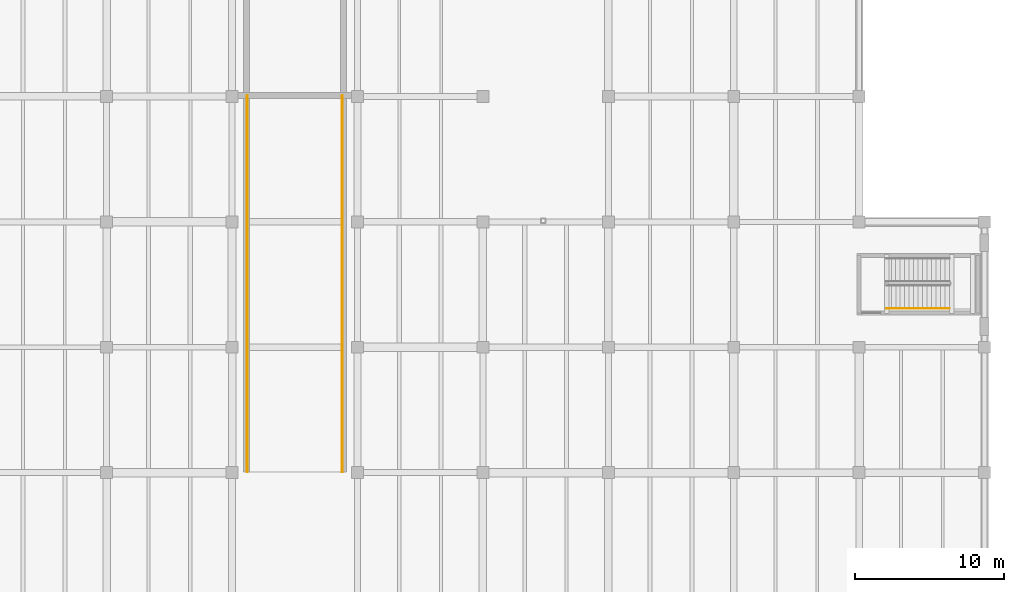
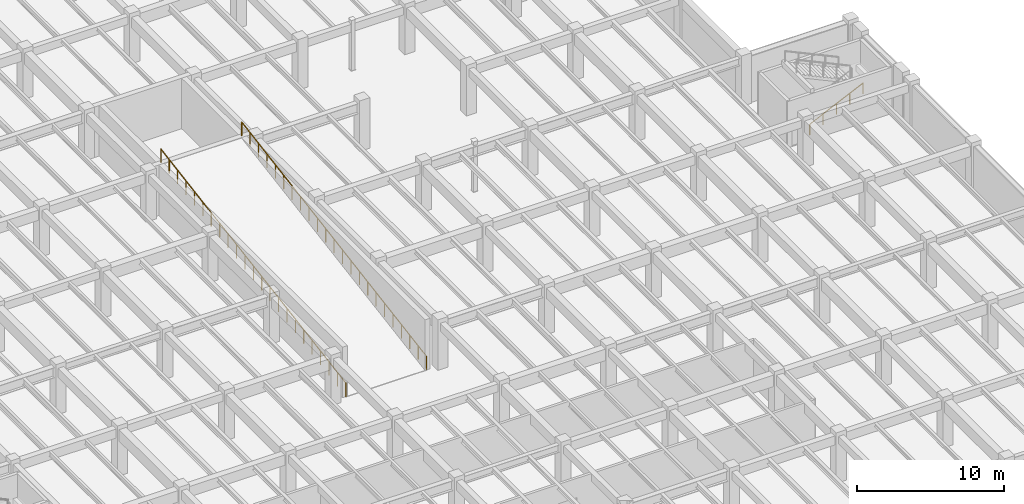
# One storey, part 61 of 63: 3 railings.
"""IFC4 building model written with IfcOpenShell, lengths in metres."""

from ifc_helpers import new_model, si_unit, direction, frame, origin, origin_2d, place, context, subcontext, project, spatial, circle, extrude, material, type_object, element, save


model = new_model("IFC4")

# Units and contexts
model_context = context("Model", 3, precision=1e-05, world=origin(), true_north=direction((0.0, 1.0)))
body_context = subcontext(model_context, "Body", "Model", "MODEL_VIEW")
ifc_project = project(units=[si_unit("LENGTHUNIT", "METRE"), si_unit("AREAUNIT", "SQUARE_METRE"), si_unit("VOLUMEUNIT", "CUBIC_METRE"), si_unit("PLANEANGLEUNIT", "RADIAN"), si_unit("MASSUNIT", "GRAM", prefix="KILO")], contexts=[model_context])

# Site, building, storey
site_placement = place(None, origin())
site = spatial("IfcSite", under=ifc_project, at=site_placement, CompositionType="ELEMENT")
building_placement = place(site_placement, origin())
building = spatial("IfcBuilding", under=site, at=building_placement, Name="Cumbredor Promenade Congress Hotel", CompositionType="ELEMENT")
storey_placement = place(building_placement, frame((0.0, 0.0, -4.199951171875)))
storey = spatial("IfcBuildingStorey", under=building, at=storey_placement, Name="B01", CompositionType="ELEMENT", Elevation=-4.199951171875)

# Railings
ifc_material = material(Name="Brushed stainless steel", Category="steel")
railing_type_1 = type_object("IfcRailingType", Name="Sky Garden Glass-and-Steel Balustrade BAL-1150", PredefinedType="BALUSTRADE", material=ifc_material)
railing_1_placement = place(storey_placement, frame((135.419921875, 50.449951171875, 0.0)))
element("IfcRailing", 1, at=railing_1_placement, inside=storey, type_object=railing_type_1, Name="Vehicle Ramp West Side Guardrail", PredefinedType="BALUSTRADE", context=body_context, shape_type="SweptSolid", body=[
    extrude(circle(Radius=0.02392578125, at=origin_2d()), frame((0.0, 0.0, 1.1259765625), z_axis=(0.0, 0.98639418211, 0.164397437631), x_axis=(-1.0, 0.0, 0.0)), (0.0, 0.0, 1.0), 25.547607421875),
    extrude(circle(Radius=0.02099609375, at=origin_2d()), origin(), (0.0, 0.0, 1.0), 1.101806640625),
    extrude(circle(Radius=0.02099609375, at=origin_2d()), frame((0.0, 1.1455078125, 0.19091796875)), (0.0, 0.0, 1.0), 1.101806640625),
    extrude(circle(Radius=0.02099609375, at=origin_2d()), frame((0.0, 2.291015625, 0.3818359375)), (0.0, 0.0, 1.0), 1.101806640625),
    extrude(circle(Radius=0.02099609375, at=origin_2d()), frame((0.0, 3.436279296875, 0.57275390625)), (0.0, 0.0, 1.0), 1.101806640625),
    extrude(circle(Radius=0.02099609375, at=origin_2d()), frame((0.0, 4.581787109375, 0.763671875)), (0.0, 0.0, 1.0), 1.101806640625),
    extrude(circle(Radius=0.02099609375, at=origin_2d()), frame((0.0, 5.727294921875, 0.95458984375)), (0.0, 0.0, 1.0), 1.101806640625),
    extrude(circle(Radius=0.02099609375, at=origin_2d()), frame((0.0, 6.872802734375, 1.1455078125)), (0.0, 0.0, 1.0), 1.101806640625),
    extrude(circle(Radius=0.02099609375, at=origin_2d()), frame((0.0, 8.01806640625, 1.33642578125)), (0.0, 0.0, 1.0), 1.101806640625),
    extrude(circle(Radius=0.02099609375, at=origin_2d()), frame((0.0, 9.16357421875, 1.52734375)), (0.0, 0.0, 1.0), 1.101806640625),
    extrude(circle(Radius=0.02099609375, at=origin_2d()), frame((0.0, 10.30908203125, 1.71826171875)), (0.0, 0.0, 1.0), 1.101806640625),
    extrude(circle(Radius=0.02099609375, at=origin_2d()), frame((0.0, 11.45458984375, 1.9091796875)), (0.0, 0.0, 1.0), 1.101806640625),
    extrude(circle(Radius=0.02099609375, at=origin_2d()), frame((0.0, 12.60009765625, 2.10009765625)), (0.0, 0.0, 1.0), 1.101806640625),
    extrude(circle(Radius=0.02099609375, at=origin_2d()), frame((0.0, 13.745361328125, 2.290771484375)), (0.0, 0.0, 1.0), 1.101806640625),
    extrude(circle(Radius=0.02099609375, at=origin_2d()), frame((0.0, 14.890869140625, 2.481689453125)), (0.0, 0.0, 1.0), 1.101806640625),
    extrude(circle(Radius=0.02099609375, at=origin_2d()), frame((0.0, 16.036376953125, 2.672607421875)), (0.0, 0.0, 1.0), 1.101806640625),
    extrude(circle(Radius=0.02099609375, at=origin_2d()), frame((0.0, 17.181884765625, 2.863525390625)), (0.0, 0.0, 1.0), 1.101806640625),
    extrude(circle(Radius=0.02099609375, at=origin_2d()), frame((0.0, 18.3271484375, 3.054443359375)), (0.0, 0.0, 1.0), 1.101806640625),
    extrude(circle(Radius=0.02099609375, at=origin_2d()), frame((0.0, 19.47265625, 3.245361328125)), (0.0, 0.0, 1.0), 1.101806640625),
    extrude(circle(Radius=0.02099609375, at=origin_2d()), frame((0.0, 20.6181640625, 3.436279296875)), (0.0, 0.0, 1.0), 1.101806640625),
    extrude(circle(Radius=0.02099609375, at=origin_2d()), frame((0.0, 21.763671875, 3.627197265625)), (0.0, 0.0, 1.0), 1.101806640625),
    extrude(circle(Radius=0.02099609375, at=origin_2d()), frame((0.0, 22.908935546875, 3.818115234375)), (0.0, 0.0, 1.0), 1.101806640625),
    extrude(circle(Radius=0.02099609375, at=origin_2d()), frame((0.0, 24.054443359375, 4.009033203125)), (0.0, 0.0, 1.0), 1.101806640625),
    extrude(circle(Radius=0.02099609375, at=origin_2d()), frame((0.0, 25.199951171875, 4.199951171875)), (0.0, 0.0, 1.0), 1.101806640625),
])
railing_2_placement = place(storey_placement, frame((141.780029296875, 50.449951171875, 0.0)))
element("IfcRailing", 2, at=railing_2_placement, inside=storey, type_object=railing_type_1, Name="Vehicle Ramp East Side Guardrail", PredefinedType="BALUSTRADE", context=body_context, shape_type="SweptSolid", body=[
    extrude(circle(Radius=0.02392578125, at=origin_2d()), frame((0.0, 0.0, 1.1259765625), z_axis=(0.0, 0.98639418211, 0.164397437631), x_axis=(-1.0, 0.0, 0.0)), (0.0, 0.0, 1.0), 25.547607421875),
    extrude(circle(Radius=0.02099609375, at=origin_2d()), origin(), (0.0, 0.0, 1.0), 1.101806640625),
    extrude(circle(Radius=0.02099609375, at=origin_2d()), frame((0.0, 1.1455078125, 0.19091796875)), (0.0, 0.0, 1.0), 1.101806640625),
    extrude(circle(Radius=0.02099609375, at=origin_2d()), frame((0.0, 2.291015625, 0.3818359375)), (0.0, 0.0, 1.0), 1.101806640625),
    extrude(circle(Radius=0.02099609375, at=origin_2d()), frame((0.0, 3.436279296875, 0.57275390625)), (0.0, 0.0, 1.0), 1.101806640625),
    extrude(circle(Radius=0.02099609375, at=origin_2d()), frame((0.0, 4.581787109375, 0.763671875)), (0.0, 0.0, 1.0), 1.101806640625),
    extrude(circle(Radius=0.02099609375, at=origin_2d()), frame((0.0, 5.727294921875, 0.95458984375)), (0.0, 0.0, 1.0), 1.101806640625),
    extrude(circle(Radius=0.02099609375, at=origin_2d()), frame((0.0, 6.872802734375, 1.1455078125)), (0.0, 0.0, 1.0), 1.101806640625),
    extrude(circle(Radius=0.02099609375, at=origin_2d()), frame((0.0, 8.01806640625, 1.33642578125)), (0.0, 0.0, 1.0), 1.101806640625),
    extrude(circle(Radius=0.02099609375, at=origin_2d()), frame((0.0, 9.16357421875, 1.52734375)), (0.0, 0.0, 1.0), 1.101806640625),
    extrude(circle(Radius=0.02099609375, at=origin_2d()), frame((0.0, 10.30908203125, 1.71826171875)), (0.0, 0.0, 1.0), 1.101806640625),
    extrude(circle(Radius=0.02099609375, at=origin_2d()), frame((0.0, 11.45458984375, 1.9091796875)), (0.0, 0.0, 1.0), 1.101806640625),
    extrude(circle(Radius=0.02099609375, at=origin_2d()), frame((0.0, 12.60009765625, 2.10009765625)), (0.0, 0.0, 1.0), 1.101806640625),
    extrude(circle(Radius=0.02099609375, at=origin_2d()), frame((0.0, 13.745361328125, 2.290771484375)), (0.0, 0.0, 1.0), 1.101806640625),
    extrude(circle(Radius=0.02099609375, at=origin_2d()), frame((0.0, 14.890869140625, 2.481689453125)), (0.0, 0.0, 1.0), 1.101806640625),
    extrude(circle(Radius=0.02099609375, at=origin_2d()), frame((0.0, 16.036376953125, 2.672607421875)), (0.0, 0.0, 1.0), 1.101806640625),
    extrude(circle(Radius=0.02099609375, at=origin_2d()), frame((0.0, 17.181884765625, 2.863525390625)), (0.0, 0.0, 1.0), 1.101806640625),
    extrude(circle(Radius=0.02099609375, at=origin_2d()), frame((0.0, 18.3271484375, 3.054443359375)), (0.0, 0.0, 1.0), 1.101806640625),
    extrude(circle(Radius=0.02099609375, at=origin_2d()), frame((0.0, 19.47265625, 3.245361328125)), (0.0, 0.0, 1.0), 1.101806640625),
    extrude(circle(Radius=0.02099609375, at=origin_2d()), frame((0.0, 20.6181640625, 3.436279296875)), (0.0, 0.0, 1.0), 1.101806640625),
    extrude(circle(Radius=0.02099609375, at=origin_2d()), frame((0.0, 21.763671875, 3.627197265625)), (0.0, 0.0, 1.0), 1.101806640625),
    extrude(circle(Radius=0.02099609375, at=origin_2d()), frame((0.0, 22.908935546875, 3.818115234375)), (0.0, 0.0, 1.0), 1.101806640625),
    extrude(circle(Radius=0.02099609375, at=origin_2d()), frame((0.0, 24.054443359375, 4.009033203125)), (0.0, 0.0, 1.0), 1.101806640625),
    extrude(circle(Radius=0.02099609375, at=origin_2d()), frame((0.0, 25.199951171875, 4.199951171875)), (0.0, 0.0, 1.0), 1.101806640625),
])
railing_type_2 = type_object("IfcRailingType", Name="Stair Pitch Handrail HR-900", PredefinedType="HANDRAIL", material=ifc_material)
railing_3_placement = place(storey_placement, frame((178.25, 61.39990234375, 0.139892578125)))
element("IfcRailing", 3, at=railing_3_placement, inside=storey, type_object=railing_type_2, Name="B01 ST-10 stair handrail 1", PredefinedType="HANDRAIL", context=body_context, shape_type="SweptSolid", body=[
    extrude(circle(Radius=0.02392578125, at=origin_2d()), frame((0.0, 0.0, 0.8759765625), z_axis=(0.906184485727, 0.0, 0.422882581609), x_axis=(0.0, 1.0, 0.0)), (0.0, 0.0, 1.0), 4.634765625),
    extrude(circle(Radius=0.02099609375, at=origin_2d()), origin(), (0.0, 0.0, 1.0), 0.851806640625),
    extrude(circle(Radius=0.02099609375, at=origin_2d()), frame((1.050048828125, 0.0, 0.489990234375)), (0.0, 0.0, 1.0), 0.851806640625),
    extrude(circle(Radius=0.02099609375, at=origin_2d()), frame((2.10009765625, 0.0, 0.97998046875)), (0.0, 0.0, 1.0), 0.851806640625),
    extrude(circle(Radius=0.02099609375, at=origin_2d()), frame((3.14990234375, 0.0, 1.469970703125)), (0.0, 0.0, 1.0), 0.851806640625),
    extrude(circle(Radius=0.02099609375, at=origin_2d()), frame((4.199951171875, 0.0, 1.9599609375)), (0.0, 0.0, 1.0), 0.851806640625),
])

save(model, "model.ifc")
